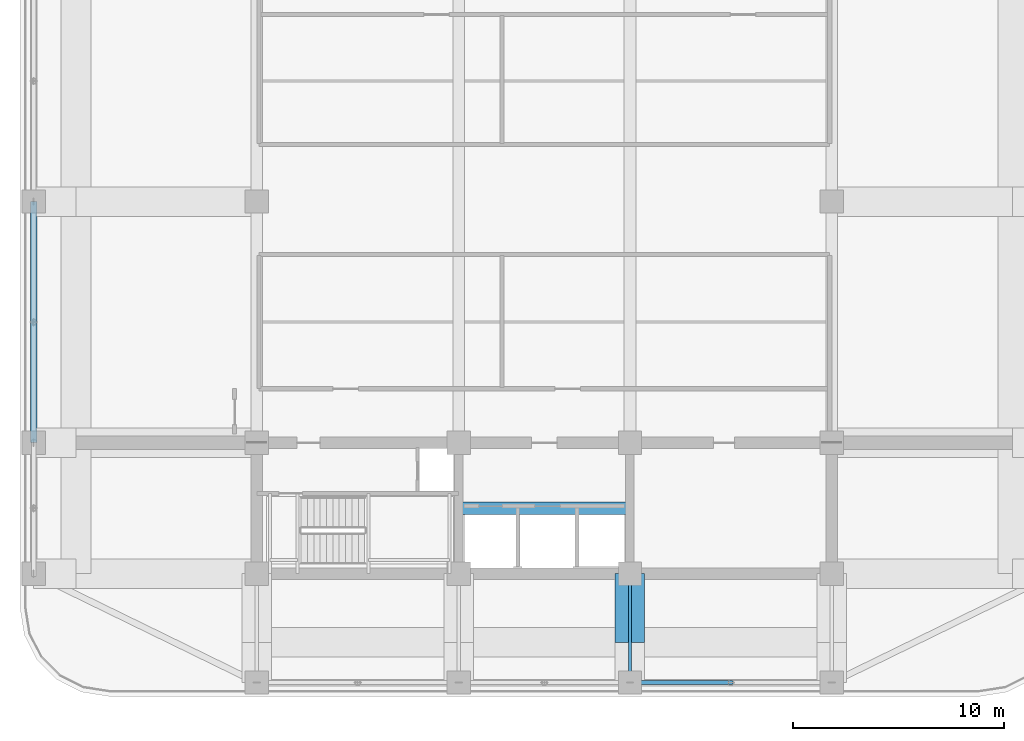
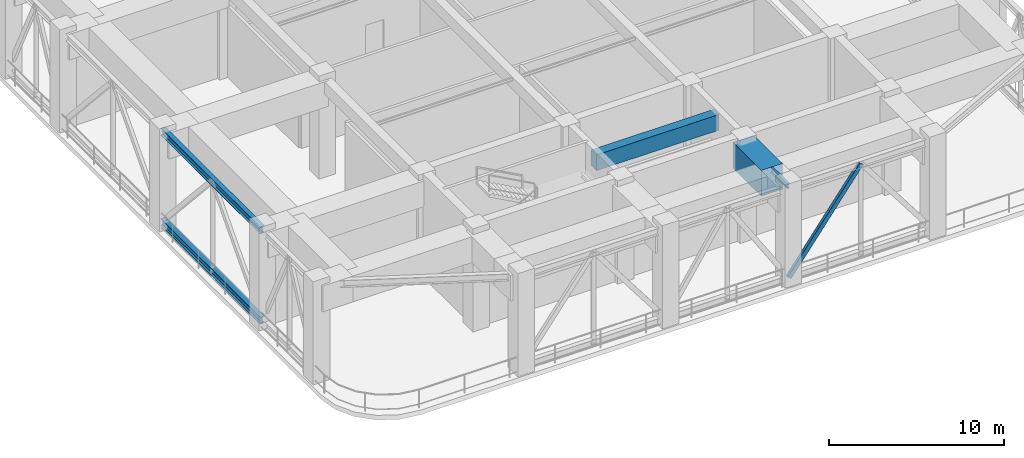
# One storey, part 3 of 20: 5 beams, 1 member.
"""IFC4 building model written with IfcOpenShell, lengths in metres."""

import ifcopenshell
import ifcopenshell.guid

model = None  # the IFC model being written
_history = None  # IfcOwnerHistory: only IFC2X3 demands one
_inside = {}  # id of a spatial element -> (the spatial element, [elements in it])
_under = {}  # id of a project, library or spatial element -> (it, [spatial elements below it])
_declared = {}  # id of a project -> (the project, [libraries it declares])
_typed = {}  # id of a type object -> (the type object, [elements of that type])
_made_of = {}  # id of a material, layer set ... -> (it, [elements and type objects made of it])


def new_model(schema):
    """Start an empty IFC model of exactly this schema.

    Asked for "IFC4X3", IfcOpenShell would pick the latest addendum, in which some entities
    have other attributes; the version numbers below select the first issue.
    IFC2X3 requires an IfcOwnerHistory on every rooted entity: one is made here for all.
    """
    global model, _history
    if schema == "IFC4X3":
        model = ifcopenshell.file(schema_version=(4, 3, 0, 0))
    else:
        model = ifcopenshell.file(schema=schema)
    _inside.clear()
    _under.clear()
    _declared.clear()
    _typed.clear()
    _made_of.clear()
    _history = None
    if model.schema == "IFC2X3":
        org = make("IfcOrganization", Name="unknown")
        user = make(
            "IfcPersonAndOrganization",
            ThePerson=make("IfcPerson", FamilyName="unknown"),
            TheOrganization=org,
        )
        app = make(
            "IfcApplication",
            ApplicationDeveloper=org,
            Version="unknown",
            ApplicationFullName="unknown",
            ApplicationIdentifier="unknown",
        )
        _history = make(
            "IfcOwnerHistory",
            OwningUser=user,
            OwningApplication=app,
            ChangeAction="ADDED",
            CreationDate=0,
        )
    return model


def make(cls, **values):
    """One entity of the class cls with the attributes given. An attribute that is None is left unset."""
    return model.create_entity(
        cls, **{name: value for name, value in values.items() if value is not None}
    )


def rooted(cls, **values):
    """An entity with a GlobalId (a new one), such as an element, a storey or a relation."""
    return make(cls, GlobalId=ifcopenshell.guid.new(), OwnerHistory=_history, **values)


def si_unit(unit_type, name, prefix=None):
    """IfcSIUnit, for example si_unit("LENGTHUNIT", "METRE", prefix="MILLI")."""
    return make("IfcSIUnit", UnitType=unit_type, Prefix=prefix, Name=name)


def assignment(units):
    """IfcUnitAssignment: the units of a project."""
    return None if units is None else make("IfcUnitAssignment", Units=units)


def point(xyz):
    """IfcCartesianPoint."""
    return None if xyz is None else make("IfcCartesianPoint", Coordinates=xyz)


def direction(xyz):
    """IfcDirection."""
    return None if xyz is None else make("IfcDirection", DirectionRatios=xyz)


def frame(location, z_axis=None, x_axis=None):
    """IfcAxis2Placement3D, a coordinate frame: its origin and axes. An axis left out is left unset."""
    return make(
        "IfcAxis2Placement3D",
        Location=point(location),
        Axis=direction(z_axis),
        RefDirection=direction(x_axis),
    )


def frame_2d(location, x_axis=None):
    """IfcAxis2Placement2D, a coordinate frame in the plane: its origin and x axis."""
    return make(
        "IfcAxis2Placement2D", Location=point(location), RefDirection=direction(x_axis)
    )


def origin():
    """The frame at (0, 0, 0) with its axes left unset."""
    return frame((0.0, 0.0, 0.0))


def origin_2d():
    """The frame at (0, 0) in the plane with its x axis left unset."""
    return frame_2d((0.0, 0.0))


def place(relative_to, where):
    """IfcLocalPlacement: puts the frame where relative to a parent placement (None: the world)."""
    return make(
        "IfcLocalPlacement", PlacementRelTo=relative_to, RelativePlacement=where
    )


def context(
    kind, dimensions, precision=None, world=None, true_north=None, identifier=None
):
    """IfcGeometricRepresentationContext, for example the 3D "Model" context."""
    return make(
        "IfcGeometricRepresentationContext",
        ContextIdentifier=identifier,
        ContextType=kind,
        CoordinateSpaceDimension=dimensions,
        Precision=precision,
        WorldCoordinateSystem=world,
        TrueNorth=true_north,
    )


def subcontext(parent, identifier, kind, view, scale=None):
    """IfcGeometricRepresentationSubContext, for example "Body" below "Model"."""
    return make(
        "IfcGeometricRepresentationSubContext",
        ContextIdentifier=identifier,
        ContextType=kind,
        ParentContext=parent,
        TargetScale=scale,
        TargetView=view,
    )


def project(units=None, contexts=None):
    """IfcProject with its units and contexts."""
    return rooted(
        "IfcProject",
        Name="project",
        RepresentationContexts=contexts,
        UnitsInContext=assignment(units),
    )


def spatial(cls, under=None, at=None, **own):
    """A site, building, storey or space (cls), placed at a placement, below another one or the project."""
    s = rooted(cls, ObjectPlacement=at, **own)
    if under is not None:
        _under.setdefault(under.id(), (under, []))[1].append(s)
    return s


def profile(cls, at=None, kind="AREA", **sizes):
    """A parametric profile (cls). Its sizes go by their IFC names, for example OverallWidth=200.0."""
    return make(cls, ProfileType=kind, Position=at, **sizes)


def rectangle(**sizes):
    """IfcRectangleProfileDef."""
    return profile("IfcRectangleProfileDef", **sizes)


def hollow_rectangle(**sizes):
    """IfcRectangleHollowProfileDef."""
    return profile("IfcRectangleHollowProfileDef", **sizes)


def i_section(**sizes):
    """IfcIShapeProfileDef."""
    return profile("IfcIShapeProfileDef", **sizes)


def extrude(swept, where, along, depth):
    """IfcExtrudedAreaSolid: the profile swept, set in the frame where, extruded along a direction by depth."""
    return make(
        "IfcExtrudedAreaSolid",
        SweptArea=swept,
        Position=where,
        ExtrudedDirection=direction(along),
        Depth=depth,
    )


def shape(context_of_items, identifier, shape_type, items):
    """IfcShapeRepresentation: the items that make up one representation, for example the "Body"."""
    return make(
        "IfcShapeRepresentation",
        ContextOfItems=context_of_items,
        RepresentationIdentifier=identifier,
        RepresentationType=shape_type,
        Items=items,
    )


def material(Name=None, Category=None):
    """IfcMaterial."""
    return make("IfcMaterial", Name=Name, Category=Category)


def material_profile(
    of_material, cross_section, Name=None, Category=None, Priority=None
):
    """IfcMaterialProfile: a cross section and its material."""
    return make(
        "IfcMaterialProfile",
        Name=Name,
        Material=of_material,
        Profile=cross_section,
        Priority=Priority,
        Category=Category,
    )


def profile_set(profiles, Name=None, composite=None):
    """IfcMaterialProfileSet."""
    return make(
        "IfcMaterialProfileSet",
        Name=Name,
        MaterialProfiles=profiles,
        CompositeProfile=composite,
    )


def made_of(thing, what):
    """Note that an element or type object is made of a material, layer set ...; save() writes the relation."""
    if what is not None:
        _made_of.setdefault(what.id(), (what, []))[1].append(thing)
    return thing


def type_object(cls, material=None, **own):
    """A type object (cls), such as IfcWallType, which elements share."""
    return made_of(rooted(cls, **own), material)


def element(
    cls,
    number,
    at=None,
    inside=None,
    cuts=None,
    type_object=None,
    material=None,
    context=None,
    identifier="Body",
    shape_type=None,
    held_by="IfcProductDefinitionShape",
    body=None,
    shapes=None,
    **own,
):
    """One element of the class cls, such as IfcWall. Its Tag is "e" and its number.

    at: its placement. inside: the storey or other place that contains it. cuts: it is an
    opening in that element (IfcRelVoidsElement). A single representation is given by context,
    identifier, shape_type and body (its items); several are given by shapes. held_by: the class
    of the entity that holds the representations. save() writes the other relations.
    """
    e = rooted(cls, Tag="e%d" % number, ObjectPlacement=at, **own)
    if body is not None:
        shapes = [shape(context, identifier, shape_type, body)]
    if shapes is not None:
        e.Representation = make(held_by, Representations=shapes)
    if inside is not None:
        _inside.setdefault(inside.id(), (inside, []))[1].append(e)
    if cuts is not None:
        rooted(
            "IfcRelVoidsElement", RelatingBuildingElement=cuts, RelatedOpeningElement=e
        )
    if type_object is not None:
        _typed.setdefault(type_object.id(), (type_object, []))[1].append(e)
    return made_of(e, material)


def aggregate(whole, parts):
    """IfcRelAggregates: a whole, such as a stair, and the parts it consists of."""
    return rooted("IfcRelAggregates", RelatingObject=whole, RelatedObjects=parts)


def save(model, path):
    """Write the relations noted so far, then the file.

    IfcRelAggregates (storeys below a building ...), IfcRelContainedInSpatialStructure (elements
    in a storey), IfcRelDefinesByType, IfcRelAssociatesMaterial and IfcRelDeclares: one each for
    every whole, place, type object, material and project.
    """
    for whole, parts in _under.values():
        aggregate(whole, parts)
    for where, things in _inside.values():
        rooted(
            "IfcRelContainedInSpatialStructure",
            RelatedElements=things,
            RelatingStructure=where,
        )
    for kind, things in _typed.values():
        rooted("IfcRelDefinesByType", RelatedObjects=things, RelatingType=kind)
    for what, things in _made_of.values():
        rooted("IfcRelAssociatesMaterial", RelatedObjects=things, RelatingMaterial=what)
    for by, libraries in _declared.values():
        rooted("IfcRelDeclares", RelatingContext=by, RelatedDefinitions=libraries)
    model.write(path)


model = new_model("IFC4")

# Units and contexts
model_context = context("Model", 3, precision=1e-05, world=origin(), true_north=direction((0.0, 1.0)))
body_context = subcontext(model_context, "Body", "Model", "MODEL_VIEW")
ifc_project = project(units=[si_unit("LENGTHUNIT", "METRE"), si_unit("AREAUNIT", "SQUARE_METRE"), si_unit("VOLUMEUNIT", "CUBIC_METRE"), si_unit("PLANEANGLEUNIT", "RADIAN"), si_unit("MASSUNIT", "GRAM", prefix="KILO")], contexts=[model_context])

# Site, building, storey
site_placement = place(None, origin())
site = spatial("IfcSite", under=ifc_project, at=site_placement, CompositionType="ELEMENT")
building_placement = place(site_placement, origin())
building = spatial("IfcBuilding", under=site, at=building_placement, Name="Svetorya Sky Lyceum", CompositionType="ELEMENT")
storey_placement = place(building_placement, frame((0.0, 0.0, 136.39990234375)))
storey = spatial("IfcBuildingStorey", under=building, at=storey_placement, Name="L34", CompositionType="ELEMENT", Elevation=136.39990234375)

# Beams
ifc_material_1 = material(Name="Concrete C60/75", Category="concrete")
ifc_material_profile_1 = material_profile(ifc_material_1, rectangle(XDim=0.60009765625, YDim=1.10009765625, at=origin_2d()), Name="RC COUPLING 600x1100")
ifc_profile_set_1 = profile_set([ifc_material_profile_1], Name="Concrete C60/75")
beam_type_1 = type_object("IfcBeamType", Name="BM-CPL-1100", PredefinedType="LINTEL", material=ifc_profile_set_1)
beam_1_placement = place(storey_placement, frame((35.14990234375, 13.699951171875, 6.25), z_axis=(1.0, 0.0, 0.0), x_axis=(0.0, 1.0, 0.0)))
element("IfcBeam", 1, at=beam_1_placement, inside=storey, type_object=beam_type_1, Name="L34 SC Core Coupling Beam", PredefinedType="LINTEL", context=body_context, shape_type="SweptSolid", body=[
    extrude(rectangle(XDim=0.60009765625, YDim=1.10009765625, at=origin_2d()), origin(), (0.0, 0.0, 1.0), 8.10009765625),
])
ifc_material_2 = material(Name="Steel S355", Category="steel")
ifc_material_profile_2 = material_profile(ifc_material_2, i_section(OverallWidth=0.155029296875, OverallDepth=0.34912109375, WebThickness=0.007080078125, FlangeThickness=0.011474609375, at=origin_2d()), Name="GOST 35B2")
ifc_profile_set_2 = profile_set([ifc_material_profile_2], Name="Steel S355")
beam_type_2 = type_object("IfcBeamType", Name="BM-STL-35B2", PredefinedType="JOIST", material=ifc_profile_set_2)
beam_2_placement = place(storey_placement, frame((43.25, 5.449951171875, 6.62548828125), z_axis=(0.0, 1.0, 0.0), x_axis=(-1.0, 0.0, 0.0)))
element("IfcBeam", 2, at=beam_2_placement, inside=storey, type_object=beam_type_2, Name="L34 South Bay Floor Girder S3", PredefinedType="JOIST", context=body_context, shape_type="SweptSolid", body=[
    extrude(i_section(OverallWidth=0.155029296875, OverallDepth=0.34912109375, WebThickness=0.007080078125, FlangeThickness=0.011474609375, at=origin_2d()), origin(), (0.0, 0.0, 1.0), 5.150146484375),
])
ifc_material_profile_3 = material_profile(ifc_material_2, i_section(OverallWidth=0.300048828125, OverallDepth=0.491943359375, WebThickness=0.012939453125, FlangeThickness=0.0205078125, at=origin_2d()), Name="GOST 50Sh2")
ifc_profile_set_3 = profile_set([ifc_material_profile_3], Name="Steel S355")
beam_type_3 = type_object("IfcBeamType", Name="BM-STL-50SH2", PredefinedType="BEAM", material=ifc_profile_set_3)
for number, where, z_axis, x_axis, name in (
    (3, (15.050048828125, 16.800048828125, 0.24609375), (0.0, 1.0, 0.0), (-1.0, 0.0, 0.0), "L34 Belt Truss Bottom Chord W-2"),
    (4, (15.050048828125, 16.800048828125, 6.55419921875), (0.0, 1.0, 0.0), (-1.0, 0.0, 0.0), "L34 Belt Truss Top Chord W-2"),
):
    element("IfcBeam", number, at=place(storey_placement, frame(where, z_axis=z_axis, x_axis=x_axis)), inside=storey, type_object=beam_type_3, Name=name, PredefinedType="BEAM", context=body_context, shape_type="SweptSolid", body=[
        extrude(i_section(OverallWidth=0.300048828125, OverallDepth=0.491943359375, WebThickness=0.012939453125, FlangeThickness=0.0205078125, at=origin_2d()), origin(), (0.0, 0.0, 1.0), 11.39990234375),
    ])
ifc_material_profile_4 = material_profile(ifc_material_1, rectangle(XDim=1.39990234375, YDim=1.800048828125, at=origin_2d()), Name="RC TRANSFER 1400x1800")
ifc_profile_set_4 = profile_set([ifc_material_profile_4], Name="Concrete C60/75")
beam_type_4 = type_object("IfcBeamType", Name="BM-TRF-2200", PredefinedType="BEAM", material=ifc_profile_set_4)
beam_3_placement = place(storey_placement, frame((43.25, 7.35009765625, 5.900146484375), z_axis=(0.0, 1.0, 0.0), x_axis=(-1.0, 0.0, 0.0)))
element("IfcBeam", 5, at=beam_3_placement, inside=storey, type_object=beam_type_4, Name="L34 South Inner Transfer Girder 3", PredefinedType="BEAM", context=body_context, shape_type="SweptSolid", body=[
    extrude(rectangle(XDim=1.39990234375, YDim=1.800048828125, at=origin_2d()), origin(), (0.0, 0.0, 1.0), 3.25),
])

# Member
ifc_material_profile_5 = material_profile(ifc_material_2, hollow_rectangle(XDim=0.199951171875, YDim=0.300048828125, WallThickness=0.011962890625, at=origin_2d()), Name="RHS 300x200x12")
ifc_profile_set_5 = profile_set([ifc_material_profile_5], Name="Steel S355")
member_type = type_object("IfcMemberType", Name="MB-BRC-RHS300", PredefinedType="BRACE", material=ifc_profile_set_5)
member_placement = place(storey_placement, frame((43.25, 5.449951171875, 0.24609375), z_axis=(0.603539184165, 0.0, 0.79733333881), x_axis=(0.0, 1.0, 0.0)))
element("IfcMember", 6, at=member_placement, inside=storey, type_object=member_type, Name="L34 Belt Truss Diagonal S-3A", PredefinedType="BRACE", context=body_context, shape_type="SweptSolid", body=[
    extrude(hollow_rectangle(XDim=0.199951171875, YDim=0.300048828125, WallThickness=0.011962890625, at=origin_2d()), origin(), (0.0, 0.0, 1.0), 7.91162109375),
])

save(model, "model.ifc")
